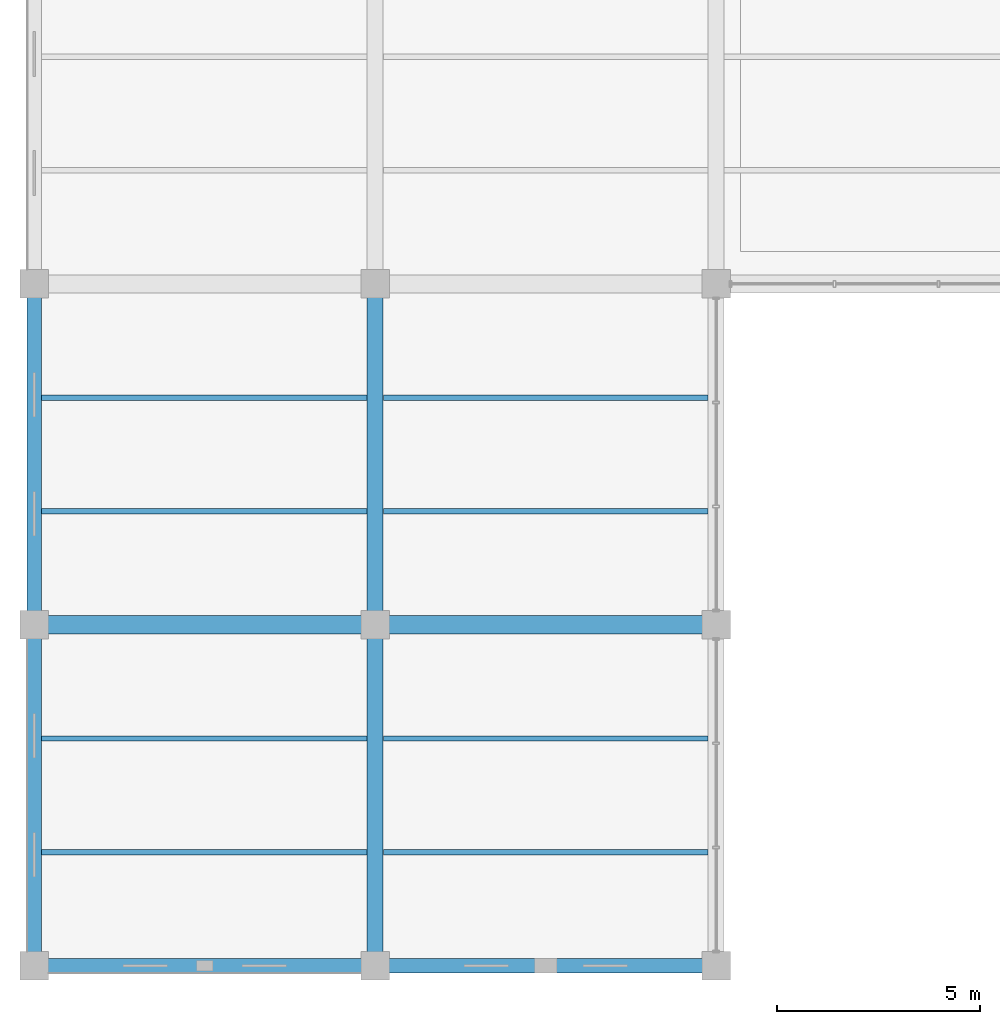
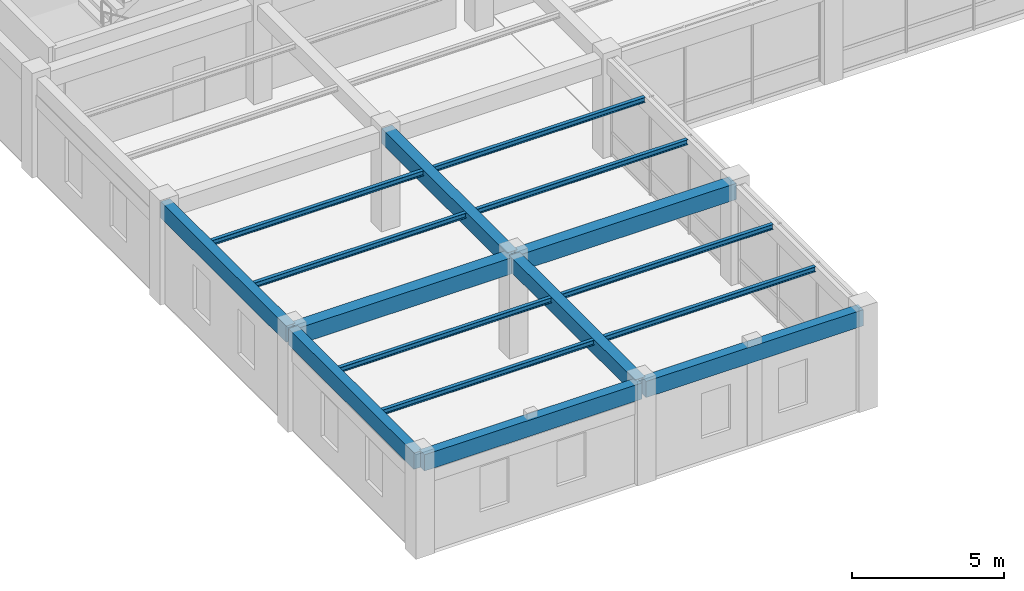
# One storey, part 9 of 152: 16 beams.
"""IFC4 building model written with IfcOpenShell, lengths in metres."""

from ifc_helpers import new_model, si_unit, direction, frame, origin, origin_2d, place, context, subcontext, project, spatial, rectangle, i_section, extrude, material, material_profile, profile_set, type_object, element, save


model = new_model("IFC4")

# Units and contexts
model_context = context("Model", 3, precision=1e-05, world=origin(), true_north=direction((0.0, 1.0)))
body_context = subcontext(model_context, "Body", "Model", "MODEL_VIEW")
ifc_project = project(units=[si_unit("LENGTHUNIT", "METRE"), si_unit("AREAUNIT", "SQUARE_METRE"), si_unit("VOLUMEUNIT", "CUBIC_METRE"), si_unit("PLANEANGLEUNIT", "RADIAN"), si_unit("MASSUNIT", "GRAM", prefix="KILO"), si_unit("THERMODYNAMICTEMPERATUREUNIT", "KELVIN"), si_unit("POWERUNIT", "WATT")], contexts=[model_context])

# Site, building, storey
site_placement = place(None, origin())
site = spatial("IfcSite", under=ifc_project, at=site_placement, CompositionType="ELEMENT")
building_placement = place(site_placement, origin())
building = spatial("IfcBuilding", under=site, at=building_placement, Name="Darbajah Civic Hall", CompositionType="ELEMENT")
storey_placement = place(building_placement, frame((0.0, 0.0, 5.39990234375)))
storey = spatial("IfcBuildingStorey", under=building, at=storey_placement, Name="L01", CompositionType="ELEMENT", Elevation=5.39990234375)

# Beams
ifc_material_1 = material(Name="Concrete C45/55", Category="concrete")
ifc_material_profile_1 = material_profile(ifc_material_1, rectangle(XDim=0.39990234375, YDim=0.60009765625, at=origin_2d()), Name="RC BEAM 400x600")
ifc_profile_set_1 = profile_set([ifc_material_profile_1], Name="Concrete C45/55")
beam_type_1 = type_object("IfcBeamType", Name="RC BEAM 400x600", PredefinedType="BEAM", material=ifc_profile_set_1)
for number, where, z_axis, x_axis, name in (
    (1, (8.39990234375, 0.080078125, 3.64013671875), (0.0, 1.0, 0.0), (-1.0, 0.0, 0.0), "L01 beam BM-4060"),
    (2, (8.39990234375, 8.47998046875, 3.64013671875), (0.0, 1.0, 0.0), (-1.0, 0.0, 0.0), "L01 beam BM-4060"),
):
    element("IfcBeam", number, at=place(storey_placement, frame(where, z_axis=z_axis, x_axis=x_axis)), inside=storey, type_object=beam_type_1, Name=name, PredefinedType="BEAM", context=body_context, shape_type="SweptSolid", body=[
        extrude(rectangle(XDim=0.39990234375, YDim=0.60009765625, at=origin_2d()), origin(), (0.0, 0.0, 1.0), 8.239990234375),
    ])
ifc_material_profile_2 = material_profile(ifc_material_1, rectangle(XDim=0.449951171875, YDim=0.64990234375, at=origin_2d()), Name="RC BEAM 450x650")
ifc_profile_set_2 = profile_set([ifc_material_profile_2], Name="Concrete C45/55")
beam_type_2 = type_object("IfcBeamType", Name="RC BEAM 450x650", PredefinedType="BEAM", material=ifc_profile_set_2)
for number, where, z_axis, x_axis, name in (
    (3, (0.080078125, 8.39990234375, 3.614990234375), (1.0, 0.0, 0.0), (0.0, 1.0, 0.0), "L01 beam BM-4565"),
    (4, (8.47998046875, 8.39990234375, 3.614990234375), (1.0, 0.0, 0.0), (0.0, 1.0, 0.0), "L01 beam BM-4565"),
):
    element("IfcBeam", number, at=place(storey_placement, frame(where, z_axis=z_axis, x_axis=x_axis)), inside=storey, type_object=beam_type_2, Name=name, PredefinedType="BEAM", context=body_context, shape_type="SweptSolid", body=[
        extrude(rectangle(XDim=0.449951171875, YDim=0.64990234375, at=origin_2d()), origin(), (0.0, 0.0, 1.0), 8.239990234375),
    ])
ifc_material_profile_3 = material_profile(ifc_material_1, rectangle(XDim=0.35009765625, YDim=0.64990234375, at=origin_2d()), Name="RC SPANDREL 350x650")
ifc_profile_set_3 = profile_set([ifc_material_profile_3], Name="Concrete C45/55")
beam_type_3 = type_object("IfcBeamType", Name="RC SPANDREL 350x650", PredefinedType="SPANDREL", material=ifc_profile_set_3)
for number, where, z_axis, x_axis, name in (
    (5, (0.080078125, 0.0, 3.614990234375), (1.0, 0.0, 0.0), (0.0, 1.0, 0.0), "L01 beam SP-3565"),
    (6, (8.47998046875, 0.0, 3.614990234375), (1.0, 0.0, 0.0), (0.0, 1.0, 0.0), "L01 beam SP-3565"),
    (7, (0.0, 0.080078125, 3.614990234375), (0.0, 1.0, 0.0), (-1.0, 0.0, 0.0), "L01 beam SP-3565"),
    (8, (0.0, 8.47998046875, 3.614990234375), (0.0, 1.0, 0.0), (-1.0, 0.0, 0.0), "L01 beam SP-3565"),
):
    element("IfcBeam", number, at=place(storey_placement, frame(where, z_axis=z_axis, x_axis=x_axis)), inside=storey, type_object=beam_type_3, Name=name, PredefinedType="SPANDREL", context=body_context, shape_type="SweptSolid", body=[
        extrude(rectangle(XDim=0.35009765625, YDim=0.64990234375, at=origin_2d()), origin(), (0.0, 0.0, 1.0), 8.239990234375),
    ])
ifc_material_2 = material(Name="Steel S355JR", Category="steel")
ifc_material_profile_4 = material_profile(ifc_material_2, i_section(OverallWidth=0.1337890625, OverallDepth=0.206787109375, WebThickness=0.00634765625, FlangeThickness=0.009521484375, FilletRadius=0.007568359375, at=origin_2d()), Name="UB 203x133x30")
ifc_profile_set_4 = profile_set([ifc_material_profile_4], Name="Steel S355JR")
beam_type_4 = type_object("IfcBeamType", Name="UB 203x133x30", PredefinedType="JOIST", material=ifc_profile_set_4)
for number, where, z_axis, x_axis, name in (
    (9, (0.175048828125, 2.800048828125, 3.836669921875), (1.0, 0.0, 0.0), (0.0, 1.0, 0.0), "L01 beam SJ-203"),
    (10, (0.175048828125, 5.60009765625, 3.836669921875), (1.0, 0.0, 0.0), (0.0, 1.0, 0.0), "L01 beam SJ-203"),
    (11, (0.175048828125, 11.199951171875, 3.836669921875), (1.0, 0.0, 0.0), (0.0, 1.0, 0.0), "L01 beam SJ-203"),
    (12, (0.175048828125, 14.0, 3.836669921875), (1.0, 0.0, 0.0), (0.0, 1.0, 0.0), "L01 beam SJ-203"),
):
    element("IfcBeam", number, at=place(storey_placement, frame(where, z_axis=z_axis, x_axis=x_axis)), inside=storey, type_object=beam_type_4, Name=name, PredefinedType="JOIST", context=body_context, shape_type="SweptSolid", body=[
        extrude(i_section(OverallWidth=0.1337890625, OverallDepth=0.206787109375, WebThickness=0.00634765625, FlangeThickness=0.009521484375, FilletRadius=0.007568359375, at=origin_2d()), origin(), (0.0, 0.0, 1.0), 8.02490234375),
    ])
for number, where, z_axis, x_axis, name in (
    (13, (8.60009765625, 2.800048828125, 3.836669921875), (1.0, 0.0, 0.0), (0.0, 1.0, 0.0), "L01 beam SJ-203"),
    (14, (8.60009765625, 5.60009765625, 3.836669921875), (1.0, 0.0, 0.0), (0.0, 1.0, 0.0), "L01 beam SJ-203"),
    (15, (8.60009765625, 11.199951171875, 3.836669921875), (1.0, 0.0, 0.0), (0.0, 1.0, 0.0), "L01 beam SJ-203"),
    (16, (8.60009765625, 14.0, 3.836669921875), (1.0, 0.0, 0.0), (0.0, 1.0, 0.0), "L01 beam SJ-203"),
):
    element("IfcBeam", number, at=place(storey_placement, frame(where, z_axis=z_axis, x_axis=x_axis)), inside=storey, type_object=beam_type_4, Name=name, PredefinedType="JOIST", context=body_context, shape_type="SweptSolid", body=[
        extrude(i_section(OverallWidth=0.1337890625, OverallDepth=0.206787109375, WebThickness=0.00634765625, FlangeThickness=0.009521484375, FilletRadius=0.007568359375, at=origin_2d()), origin(), (0.0, 0.0, 1.0), 8.0),
    ])

save(model, "model.ifc")
